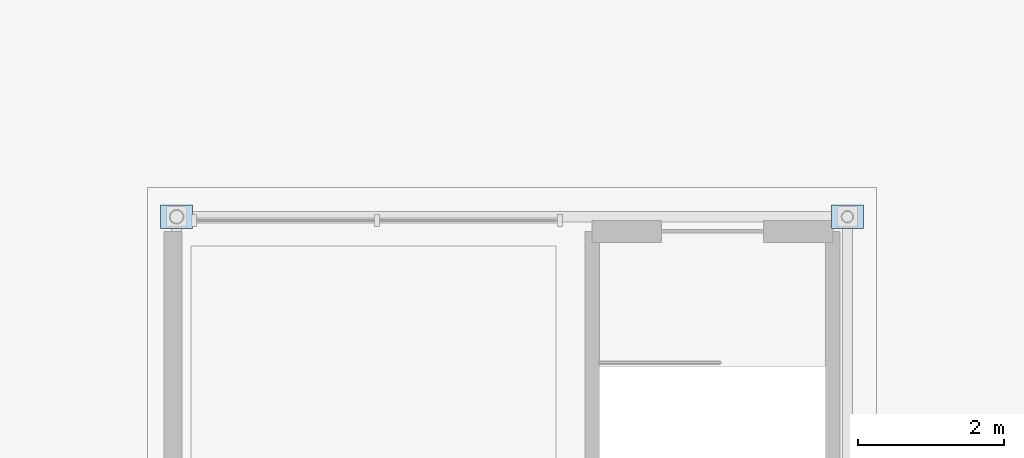
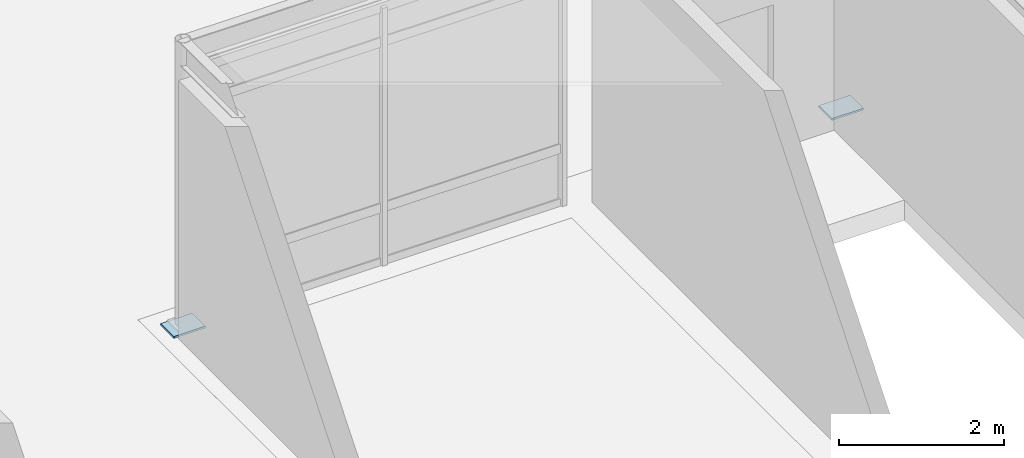
# One storey, part 77 of 135: 2 plates.
"""IFC4 building model written with IfcOpenShell, lengths in metres."""

from ifc_helpers import new_model, si_unit, direction, frame, origin, origin_2d, place, context, subcontext, project, spatial, rectangle, extrude, material, layer, layer_set, type_object, element, save


model = new_model("IFC4")

# Units and contexts
model_context = context("Model", 3, precision=1e-05, world=origin(), true_north=direction((0.0, 1.0)))
body_context = subcontext(model_context, "Body", "Model", "MODEL_VIEW")
ifc_project = project(units=[si_unit("LENGTHUNIT", "METRE"), si_unit("AREAUNIT", "SQUARE_METRE"), si_unit("VOLUMEUNIT", "CUBIC_METRE"), si_unit("PLANEANGLEUNIT", "RADIAN"), si_unit("MASSUNIT", "GRAM", prefix="KILO")], contexts=[model_context])

# Site, building, storey
site_placement = place(None, origin())
site = spatial("IfcSite", under=ifc_project, at=site_placement, CompositionType="ELEMENT")
building_placement = place(site_placement, origin())
building = spatial("IfcBuilding", under=site, at=building_placement, Name="Kiranvali Square Residences", CompositionType="ELEMENT")
storey_placement = place(building_placement, origin())
storey = spatial("IfcBuildingStorey", under=building, at=storey_placement, Name="L00", CompositionType="ELEMENT", Elevation=0.0)

# Plates
ifc_material = material(Name="Structural steel E350", Category="steel")
ifc_layer = layer(ifc_material, 0.028076171875)
ifc_layer_set = layer_set([ifc_layer], Name="Structural steel E350")
plate_type = type_object("IfcPlateType", Name="PLT-BASE-28", PredefinedType="USERDEFINED", material=ifc_layer_set)
for number, where, z_axis, x_axis, name in (
    (1, (74.39990234375, 25.800048828125, 0.0), (0.0, 0.0, 1.0), (1.0, 0.0, 0.0), "South Boulevard Ramp and Arcade Portal column baseplate 4.1"),
    (2, (83.60009765625, 25.800048828125, 0.0), (0.0, 0.0, 1.0), (1.0, 0.0, 0.0), "South Boulevard Ramp and Arcade Portal column baseplate 4.2"),
):
    element("IfcPlate", number, at=place(storey_placement, frame(where, z_axis=z_axis, x_axis=x_axis)), inside=storey, type_object=plate_type, Name=name, ObjectType="BASE PLATE", PredefinedType="USERDEFINED", context=body_context, shape_type="SweptSolid", body=[
        extrude(rectangle(XDim=0.43994140625, YDim=0.320068359375, at=origin_2d()), origin(), (0.0, 0.0, 1.0), 0.028076171875),
    ])

save(model, "model.ifc")
